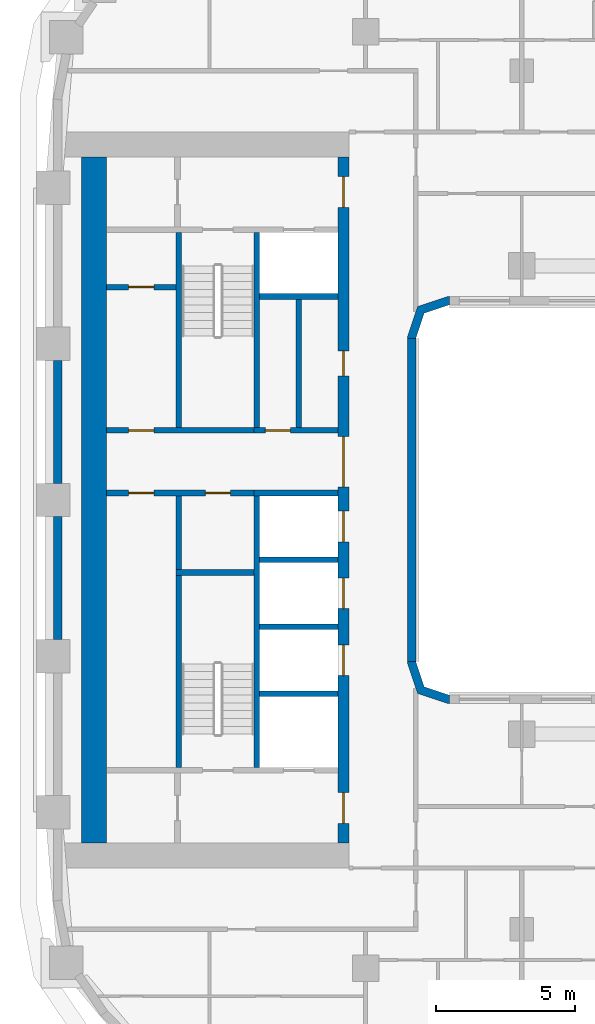
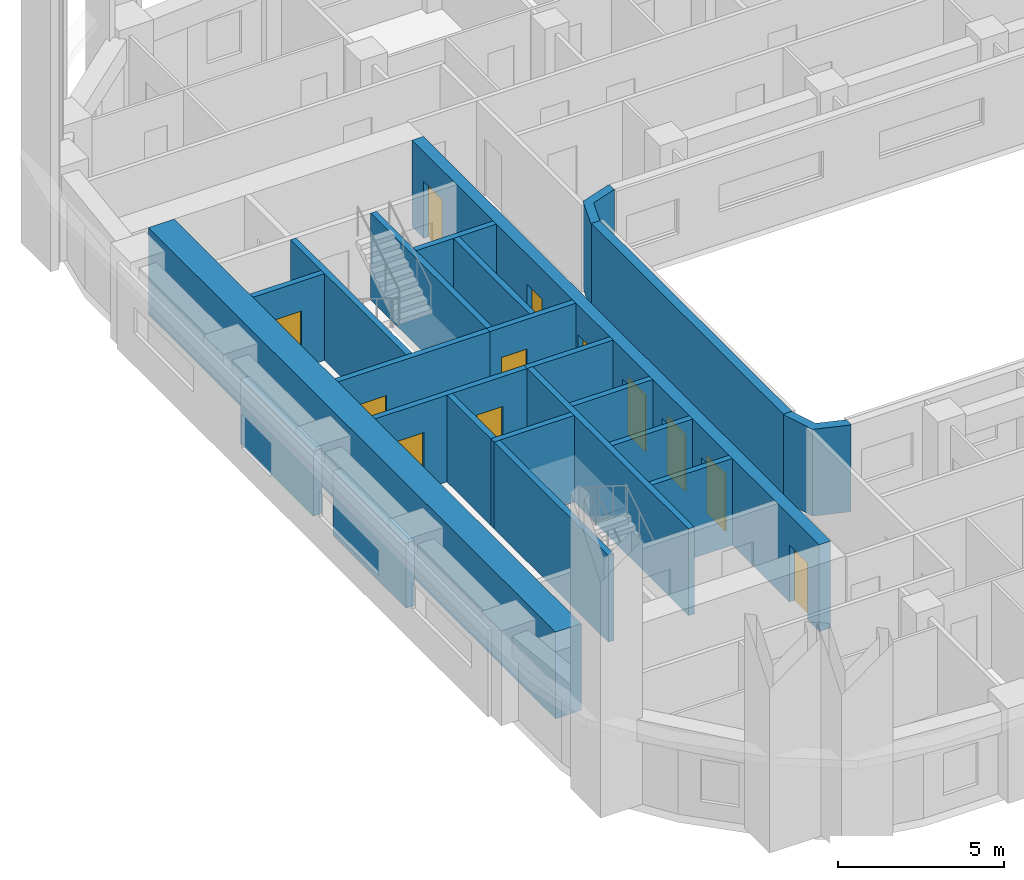
# One storey, part 5 of 23: 23 walls, 12 doors, 12 openings.
"""IFC4 building model written with IfcOpenShell, lengths in metres."""

from ifc_helpers import new_model, si_unit, direction, frame, frame_2d, origin, place, context, subcontext, project, spatial, polyline, rectangle, outline, extrude, material, layer, layer_set, type_object, element, fill, save


model = new_model("IFC4")

# Units and contexts
model_context = context("Model", 3, precision=1e-05, world=origin(), true_north=direction((0.0, 1.0)))
body_context = subcontext(model_context, "Body", "Model", "MODEL_VIEW")
ifc_project = project(units=[si_unit("LENGTHUNIT", "METRE"), si_unit("AREAUNIT", "SQUARE_METRE"), si_unit("VOLUMEUNIT", "CUBIC_METRE"), si_unit("PLANEANGLEUNIT", "RADIAN"), si_unit("MASSUNIT", "GRAM", prefix="KILO")], contexts=[model_context])

# Site, building, storey
site_placement = place(None, origin())
site = spatial("IfcSite", under=ifc_project, at=site_placement, CompositionType="ELEMENT")
building_placement = place(site_placement, origin())
building = spatial("IfcBuilding", under=site, at=building_placement, Name="Kiln Ring Residences", CompositionType="ELEMENT")
storey_placement = place(building_placement, frame((0.0, 0.0, 107.800048828125)))
storey = spatial("IfcBuildingStorey", under=building, at=storey_placement, Name="L27", CompositionType="ELEMENT", Elevation=107.800048828125)

# Wall
ifc_material_1 = material(Name="Gypsum board on steel studs", Category="steel")
ifc_layer_1 = layer(ifc_material_1, 0.199951171875)
ifc_layer_set_1 = layer_set([ifc_layer_1], Name="CORE-PARTITION-200")
wall_type_1 = type_object("IfcWallType", Name="CORE-PARTITION-200", PredefinedType="PARTITIONING", material=ifc_layer_set_1)
wall_1_placement = place(storey_placement, frame((-23.5, -2.5, 0.0), z_axis=(0.0, 0.0, 1.0), x_axis=(0.0, 1.0, 0.0)))
element("IfcWall", 1, at=wall_1_placement, inside=storey, type_object=wall_type_1, Name="Core partition west L27 1", PredefinedType="PARTITIONING", context=body_context, shape_type="SweptSolid", body=[
    extrude(rectangle(XDim=2.64990234375, YDim=0.199951171875, at=frame_2d((1.324951171875, 0.0))), origin(), (0.0, 0.0, 1.0), 3.199951171875),
])

# Wall, openings, doors
wall_2_placement = place(storey_placement, frame((-20.800048828125, 0.25, 0.0), z_axis=(0.0, 0.0, 1.0), x_axis=(-1.0, 0.0, 0.0)))
wall_2 = element("IfcWall", 2, at=wall_2_placement, inside=storey, type_object=wall_type_1, Name="Core partition west L27 2", PredefinedType="PARTITIONING", context=body_context, shape_type="SweptSolid", body=[
    extrude(rectangle(XDim=5.300048828125, YDim=0.199951171875, at=frame_2d((2.64990234375, 0.0))), origin(), (0.0, 0.0, 1.0), 3.199951171875),
])
opening_1_placement = place(wall_2_placement, frame((0.85009765625, 0.0, 0.0)))
opening_1 = element("IfcOpeningElement", 3, at=opening_1_placement, cuts=wall_2, Name="Opening L27-CW15", PredefinedType="OPENING", context=body_context, shape_type="SweptSolid", body=[
    extrude(rectangle(XDim=0.89990234375, YDim=2.10009765625, at=frame_2d((0.449951171875, 1.050048828125))), frame((0.0, 0.10986328125, 0.0), z_axis=(0.0, -1.0, 0.0), x_axis=(1.0, 0.0, 0.0)), (0.0, 0.0, 1.0), 0.219970703125),
])
opening_2_placement = place(wall_2_placement, frame((3.60009765625, 0.0, 0.0)))
opening_2 = element("IfcOpeningElement", 4, at=opening_2_placement, cuts=wall_2, Name="Opening L27-CW16", PredefinedType="OPENING", context=body_context, shape_type="SweptSolid", body=[
    extrude(rectangle(XDim=0.89990234375, YDim=2.10009765625, at=frame_2d((0.449951171875, 1.050048828125))), frame((0.0, 0.10986328125, 0.0), z_axis=(0.0, -1.0, 0.0), x_axis=(1.0, 0.0, 0.0)), (0.0, 0.0, 1.0), 0.219970703125),
])
ifc_material_2 = material(Name="Steel door leaf", Category="steel")
door_type_1 = type_object("IfcDoorType", Name="CORE-DOOR-ROOM", OperationType="SINGLE_SWING_LEFT", PredefinedType="DOOR", material=ifc_material_2)
door_1_placement = place(opening_1_placement, origin())
door_1 = element("IfcDoor", 5, at=door_1_placement, inside=storey, type_object=door_type_1, Name="Refuse and recycling room L27-CW15", OperationType="SINGLE_SWING_LEFT", OverallHeight=2.10009765625, OverallWidth=0.89990234375, PredefinedType="DOOR", context=body_context, shape_type="SweptSolid", body=[
    extrude(rectangle(XDim=0.89990234375, YDim=2.10009765625, at=frame_2d((0.449951171875, 1.050048828125))), frame((0.0, 0.02490234375, 0.0), z_axis=(0.0, -1.0, 0.0), x_axis=(1.0, 0.0, 0.0)), (0.0, 0.0, 1.0), 0.050048828125),
])
fill(opening_1, door_1)
door_2_placement = place(opening_2_placement, origin())
door_2 = element("IfcDoor", 6, at=door_2_placement, inside=storey, type_object=door_type_1, Name="Water tank room L27-CW16", OperationType="SINGLE_SWING_RIGHT", OverallHeight=2.10009765625, OverallWidth=0.89990234375, PredefinedType="DOOR", context=body_context, shape_type="SweptSolid", body=[
    extrude(rectangle(XDim=0.89990234375, YDim=2.10009765625, at=frame_2d((0.449951171875, 1.050048828125))), frame((0.0, 0.02490234375, 0.0), z_axis=(0.0, -1.0, 0.0), x_axis=(1.0, 0.0, 0.0)), (0.0, 0.0, 1.0), 0.050048828125),
])
fill(opening_2, door_2)

# Wall
wall_3_placement = place(storey_placement, frame((-19.199951171875, 2.60009765625, 0.0), z_axis=(0.0, 0.0, 1.0), x_axis=(0.0, 1.0, 0.0)))
element("IfcWall", 7, at=wall_3_placement, inside=storey, type_object=wall_type_1, Name="Core partition west L27 3", PredefinedType="PARTITIONING", context=body_context, shape_type="SweptSolid", body=[
    extrude(rectangle(XDim=4.599853515625, YDim=0.199951171875, at=frame_2d((2.2998046875, 0.0))), origin(), (0.0, 0.0, 1.0), 3.199951171875),
])

# Wall, opening, door
wall_4_placement = place(storey_placement, frame((-23.60009765625, 7.639892578125, 0.0), z_axis=(0.0, 0.0, 1.0), x_axis=(-1.0, 0.0, 0.0)))
wall_4 = element("IfcWall", 8, at=wall_4_placement, inside=storey, type_object=wall_type_1, Name="Core partition west L27 6", PredefinedType="PARTITIONING", context=body_context, shape_type="SweptSolid", body=[
    extrude(rectangle(XDim=2.5, YDim=0.199951171875, at=frame_2d((1.25, 0.0))), origin(), (0.0, 0.0, 1.0), 3.199951171875),
])
opening_3_placement = place(wall_4_placement, frame((0.800048828125, 0.0, 0.0)))
opening_3 = element("IfcOpeningElement", 9, at=opening_3_placement, cuts=wall_4, Name="Opening L27-CW17", PredefinedType="OPENING", context=body_context, shape_type="SweptSolid", body=[
    extrude(rectangle(XDim=0.89990234375, YDim=2.10009765625, at=frame_2d((0.449951171875, 1.050048828125))), frame((0.0, 0.10986328125, 0.0), z_axis=(0.0, -1.0, 0.0), x_axis=(1.0, 0.0, 0.0)), (0.0, 0.0, 1.0), 0.219970703125),
])
door_3_placement = place(opening_3_placement, origin())
door_3 = element("IfcDoor", 10, at=door_3_placement, inside=storey, type_object=door_type_1, Name="UPS room L27-CW17", OperationType="SINGLE_SWING_RIGHT", OverallHeight=2.10009765625, OverallWidth=0.89990234375, PredefinedType="DOOR", context=body_context, shape_type="SweptSolid", body=[
    extrude(rectangle(XDim=0.89990234375, YDim=2.10009765625, at=frame_2d((0.449951171875, 1.050048828125))), frame((0.0, 0.02490234375, 0.0), z_axis=(0.0, -1.0, 0.0), x_axis=(1.0, 0.0, 0.0)), (0.0, 0.0, 1.0), 0.050048828125),
])
fill(opening_3, door_3)

# Walls
ifc_material_3 = material(Name="Gypsum shaft wall system")
ifc_layer_2 = layer(ifc_material_3, 0.199951171875)
ifc_layer_set_2 = layer_set([ifc_layer_2], Name="CORE-SHAFT-WALL-200")
wall_type_2 = type_object("IfcWallType", Name="CORE-SHAFT-WALL-200", PredefinedType="PARTITIONING", material=ifc_layer_set_2)
for number, where, z_axis, x_axis, name in (
    (11, (-17.800048828125, -6.949951171875, 0.0), (0.0, 0.0, 1.0), (-1.0, 0.0, 0.0), "Core partition west L27 7"),
    (12, (-17.800048828125, -4.550048828125, 0.0), (0.0, 0.0, 1.0), (-1.0, 0.0, 0.0), "Core partition west L27 8"),
    (13, (-17.800048828125, -2.14990234375, 0.0), (0.0, 0.0, 1.0), (-1.0, 0.0, 0.0), "Core partition west L27 9"),
):
    element("IfcWall", number, at=place(storey_placement, frame(where, z_axis=z_axis, x_axis=x_axis)), inside=storey, type_object=wall_type_2, Name=name, PredefinedType="PARTITIONING", context=body_context, shape_type="SweptSolid", body=[
        extrude(rectangle(XDim=2.800048828125, YDim=0.199951171875, at=frame_2d((1.39990234375, 0.0))), origin(), (0.0, 0.0, 1.0), 3.199951171875),
    ])
wall_5_placement = place(storey_placement, frame((-17.800048828125, 0.25, 0.0), z_axis=(0.0, 0.0, 1.0), x_axis=(-1.0, 0.0, 0.0)))
element("IfcWall", 14, at=wall_5_placement, inside=storey, type_object=wall_type_2, Name="Core partition west L27 10", PredefinedType="PARTITIONING", context=body_context, shape_type="SweptSolid", body=[
    extrude(rectangle(XDim=3.0, YDim=0.199951171875, at=frame_2d((1.5, 0.0))), origin(), (0.0, 0.0, 1.0), 3.199951171875),
])

# Wall, opening, door
wall_6_placement = place(storey_placement, frame((-17.800048828125, 2.5, 0.0), z_axis=(0.0, 0.0, 1.0), x_axis=(-1.0, 0.0, 0.0)))
wall_6 = element("IfcWall", 15, at=wall_6_placement, inside=storey, type_object=wall_type_2, Name="Core partition west L27 11", PredefinedType="PARTITIONING", context=body_context, shape_type="SweptSolid", body=[
    extrude(rectangle(XDim=3.0, YDim=0.199951171875, at=frame_2d((1.5, 0.0))), origin(), (0.0, 0.0, 1.0), 3.199951171875),
])
opening_4_placement = place(wall_6_placement, frame((1.699951171875, 0.0, 0.0)))
opening_4 = element("IfcOpeningElement", 16, at=opening_4_placement, cuts=wall_6, Name="Opening L27-CW06", PredefinedType="OPENING", context=body_context, shape_type="SweptSolid", body=[
    extrude(rectangle(XDim=0.89990234375, YDim=2.10009765625, at=frame_2d((0.449951171875, 1.050048828125))), frame((0.0, 0.10986328125, 0.0), z_axis=(0.0, -1.0, 0.0), x_axis=(1.0, 0.0, 0.0)), (0.0, 0.0, 1.0), 0.219970703125),
])
door_4_placement = place(opening_4_placement, origin())
door_4 = element("IfcDoor", 17, at=door_4_placement, inside=storey, type_object=door_type_1, Name="Service store L27-CW06", OperationType="SINGLE_SWING_LEFT", OverallHeight=2.10009765625, OverallWidth=0.89990234375, PredefinedType="DOOR", context=body_context, shape_type="SweptSolid", body=[
    extrude(rectangle(XDim=0.89990234375, YDim=2.10009765625, at=frame_2d((0.449951171875, 1.050048828125))), frame((0.0, 0.02490234375, 0.0), z_axis=(0.0, -1.0, 0.0), x_axis=(1.0, 0.0, 0.0)), (0.0, 0.0, 1.0), 0.050048828125),
])
fill(opening_4, door_4)

# Walls
wall_7_placement = place(storey_placement, frame((-17.800048828125, 7.300048828125, 0.0), z_axis=(0.0, 0.0, 1.0), x_axis=(-1.0, 0.0, 0.0)))
element("IfcWall", 18, at=wall_7_placement, inside=storey, type_object=wall_type_2, Name="Core partition west L27 12", PredefinedType="PARTITIONING", context=body_context, shape_type="SweptSolid", body=[
    extrude(rectangle(XDim=2.800048828125, YDim=0.199951171875, at=frame_2d((1.39990234375, 0.0))), origin(), (0.0, 0.0, 1.0), 3.199951171875),
])
ifc_material_4 = material(Name="Concrete C40/50", Category="concrete")
ifc_layer_3 = layer(ifc_material_4, 0.199951171875)
ifc_layer_set_3 = layer_set([ifc_layer_3], Name="CORE-WALL-RC200")
wall_type_3 = type_object("IfcWallType", Name="CORE-WALL-RC200", PredefinedType="SHEAR", material=ifc_layer_set_3)
wall_8_placement = place(storey_placement, frame((-20.699951171875, 2.60009765625, 0.0), z_axis=(0.0, 0.0, 1.0), x_axis=(0.0, 1.0, 0.0)))
element("IfcWall", 19, at=wall_8_placement, inside=storey, type_object=wall_type_3, Name="Core wall west L27 1", PredefinedType="SHEAR", context=body_context, shape_type="SweptSolid", body=[
    extrude(rectangle(XDim=7.0, YDim=0.199951171875, at=frame_2d((3.5, 0.0))), origin(), (0.0, 0.0, 1.0), 3.199951171875),
])
wall_9_placement = place(storey_placement, frame((-20.699951171875, -9.60009765625, 0.0), z_axis=(0.0, 0.0, 1.0), x_axis=(0.0, 1.0, 0.0)))
element("IfcWall", 20, at=wall_9_placement, inside=storey, type_object=wall_type_3, Name="Core wall west L27 2", PredefinedType="SHEAR", context=body_context, shape_type="SweptSolid", body=[
    extrude(rectangle(XDim=9.75, YDim=0.199951171875, at=frame_2d((4.875, 0.0))), origin(), (0.0, 0.0, 1.0), 3.199951171875),
])

# Wall, opening, door
wall_10_placement = place(storey_placement, frame((-20.800048828125, 2.5, 0.0), z_axis=(0.0, 0.0, 1.0), x_axis=(-1.0, 0.0, 0.0)))
wall_10 = element("IfcWall", 21, at=wall_10_placement, inside=storey, type_object=wall_type_3, Name="Core wall west L27 3", PredefinedType="SHEAR", context=body_context, shape_type="SweptSolid", body=[
    extrude(rectangle(XDim=5.300048828125, YDim=0.199951171875, at=frame_2d((2.64990234375, 0.0))), origin(), (0.0, 0.0, 1.0), 3.199951171875),
])
opening_5_placement = place(wall_10_placement, frame((3.60009765625, 0.0, 0.0)))
opening_5 = element("IfcOpeningElement", 22, at=opening_5_placement, cuts=wall_10, Name="Opening L27-CW18", PredefinedType="OPENING", context=body_context, shape_type="SweptSolid", body=[
    extrude(rectangle(XDim=0.89990234375, YDim=2.10009765625, at=frame_2d((0.449951171875, 1.050048828125))), frame((0.0, 0.10986328125, 0.0), z_axis=(0.0, -1.0, 0.0), x_axis=(1.0, 0.0, 0.0)), (0.0, 0.0, 1.0), 0.219970703125),
])
door_5_placement = place(opening_5_placement, origin())
door_5 = element("IfcDoor", 23, at=door_5_placement, inside=storey, type_object=door_type_1, Name="Electrical plant room L27-CW18", OperationType="SINGLE_SWING_LEFT", OverallHeight=2.10009765625, OverallWidth=0.89990234375, PredefinedType="DOOR", context=body_context, shape_type="SweptSolid", body=[
    extrude(rectangle(XDim=0.89990234375, YDim=2.10009765625, at=frame_2d((0.449951171875, 1.050048828125))), frame((0.0, 0.02490234375, 0.0), z_axis=(0.0, -1.0, 0.0), x_axis=(1.0, 0.0, 0.0)), (0.0, 0.0, 1.0), 0.050048828125),
])
fill(opening_5, door_5)

# Walls
wall_11_placement = place(storey_placement, frame((-23.5, 2.60009765625, 0.0), z_axis=(0.0, 0.0, 1.0), x_axis=(0.0, 1.0, 0.0)))
element("IfcWall", 24, at=wall_11_placement, inside=storey, type_object=wall_type_3, Name="Core wall west L27 10", PredefinedType="SHEAR", context=body_context, shape_type="SweptSolid", body=[
    extrude(rectangle(XDim=7.0, YDim=0.199951171875, at=frame_2d((3.5, 0.0))), origin(), (0.0, 0.0, 1.0), 3.199951171875),
])
wall_12_placement = place(storey_placement, frame((-23.5, -9.60009765625, 0.0), z_axis=(0.0, 0.0, 1.0), x_axis=(0.0, 1.0, 0.0)))
element("IfcWall", 25, at=wall_12_placement, inside=storey, type_object=wall_type_3, Name="Core wall west L27 11", PredefinedType="SHEAR", context=body_context, shape_type="SweptSolid", body=[
    extrude(rectangle(XDim=6.900146484375, YDim=0.199951171875, at=frame_2d((3.4501953125, 0.0))), origin(), (0.0, 0.0, 1.0), 3.199951171875),
])
wall_13_placement = place(storey_placement, frame((-20.800048828125, -2.60009765625, 0.0), z_axis=(0.0, 0.0, 1.0), x_axis=(-1.0, 0.0, 0.0)))
element("IfcWall", 26, at=wall_13_placement, inside=storey, type_object=wall_type_3, Name="Core wall west L27 12", PredefinedType="SHEAR", context=body_context, shape_type="SweptSolid", body=[
    extrude(rectangle(XDim=2.800048828125, YDim=0.199951171875, at=frame_2d((1.39990234375, 0.0))), origin(), (0.0, 0.0, 1.0), 3.199951171875),
])

# Wall, openings, doors
ifc_material_5 = material(Name="Concrete C60/75", Category="concrete")
ifc_layer_4 = layer(ifc_material_5, 0.39990234375)
ifc_layer_set_4 = layer_set([ifc_layer_4], Name="CORE-WALL-RC400")
wall_type_4 = type_object("IfcWallType", Name="CORE-WALL-RC400", PredefinedType="SHEAR", material=ifc_layer_set_4)
wall_14_placement = place(storey_placement, frame((-17.60009765625, -12.300048828125, 0.0), z_axis=(0.0, 0.0, 1.0), x_axis=(0.0, 1.0, 0.0)))
wall_14 = element("IfcWall", 27, at=wall_14_placement, inside=storey, type_object=wall_type_4, Name="Core wall west L27 6", PredefinedType="SHEAR", context=body_context, shape_type="SweptSolid", body=[
    extrude(rectangle(XDim=24.60009765625, YDim=0.39990234375, at=frame_2d((12.300048828125, 0.0))), origin(), (0.0, 0.0, 1.0), 3.199951171875),
])
opening_6_placement = place(wall_14_placement, frame((6.0, 0.0, 0.0)))
opening_6 = element("IfcOpeningElement", 28, at=opening_6_placement, cuts=wall_14, Name="Opening L27-CW02", PredefinedType="OPENING", context=body_context, shape_type="SweptSolid", body=[
    extrude(rectangle(XDim=1.10009765625, YDim=2.10009765625, at=frame_2d((0.550048828125, 1.050048828125))), frame((0.0, 0.2099609375, 0.0), z_axis=(0.0, -1.0, 0.0), x_axis=(1.0, 0.0, 0.0)), (0.0, 0.0, 1.0), 0.419921875),
])
opening_7_placement = place(wall_14_placement, frame((8.39990234375, 0.0, 0.0)))
opening_7 = element("IfcOpeningElement", 29, at=opening_7_placement, cuts=wall_14, Name="Opening L27-CW03", PredefinedType="OPENING", context=body_context, shape_type="SweptSolid", body=[
    extrude(rectangle(XDim=1.10009765625, YDim=2.10009765625, at=frame_2d((0.550048828125, 1.050048828125))), frame((0.0, 0.2099609375, 0.0), z_axis=(0.0, -1.0, 0.0), x_axis=(1.0, 0.0, 0.0)), (0.0, 0.0, 1.0), 0.419921875),
])
opening_8_placement = place(wall_14_placement, frame((10.800048828125, 0.0, 0.0)))
opening_8 = element("IfcOpeningElement", 30, at=opening_8_placement, cuts=wall_14, Name="Opening L27-CW04", PredefinedType="OPENING", context=body_context, shape_type="SweptSolid", body=[
    extrude(rectangle(XDim=1.10009765625, YDim=2.10009765625, at=frame_2d((0.550048828125, 1.050048828125))), frame((0.0, 0.2099609375, 0.0), z_axis=(0.0, -1.0, 0.0), x_axis=(1.0, 0.0, 0.0)), (0.0, 0.0, 1.0), 0.419921875),
])
opening_9_placement = place(wall_14_placement, frame((16.75, 0.0, 0.0)))
opening_9 = element("IfcOpeningElement", 31, at=opening_9_placement, cuts=wall_14, Name="Opening L27-CW05", PredefinedType="OPENING", context=body_context, shape_type="SweptSolid", body=[
    extrude(rectangle(XDim=0.89990234375, YDim=2.10009765625, at=frame_2d((0.449951171875, 1.050048828125))), frame((0.0, 0.2099609375, 0.0), z_axis=(0.0, -1.0, 0.0), x_axis=(1.0, 0.0, 0.0)), (0.0, 0.0, 1.0), 0.419921875),
])
opening_10_placement = place(wall_14_placement, frame((22.800048828125, 0.0, 0.0)))
opening_10 = element("IfcOpeningElement", 32, at=opening_10_placement, cuts=wall_14, Name="Opening L27-CW08", PredefinedType="OPENING", context=body_context, shape_type="SweptSolid", body=[
    extrude(rectangle(XDim=1.10009765625, YDim=2.10009765625, at=frame_2d((0.550048828125, 1.050048828125))), frame((0.0, 0.2099609375, 0.0), z_axis=(0.0, -1.0, 0.0), x_axis=(1.0, 0.0, 0.0)), (0.0, 0.0, 1.0), 0.419921875),
])
opening_11_placement = place(wall_14_placement, frame((0.699951171875, 0.0, 0.0)))
opening_11 = element("IfcOpeningElement", 33, at=opening_11_placement, cuts=wall_14, Name="Opening L27-CW09", PredefinedType="OPENING", context=body_context, shape_type="SweptSolid", body=[
    extrude(rectangle(XDim=1.10009765625, YDim=2.10009765625, at=frame_2d((0.550048828125, 1.050048828125))), frame((0.0, 0.2099609375, 0.0), z_axis=(0.0, -1.0, 0.0), x_axis=(1.0, 0.0, 0.0)), (0.0, 0.0, 1.0), 0.419921875),
])
opening_12_placement = place(wall_14_placement, frame((12.77490234375, 0.0, 0.0)))
opening_12 = element("IfcOpeningElement", 34, at=opening_12_placement, cuts=wall_14, Name="Opening L27-CW14", PredefinedType="OPENING", context=body_context, shape_type="SweptSolid", body=[
    extrude(rectangle(XDim=1.800048828125, YDim=2.10009765625, at=frame_2d((0.89990234375, 1.050048828125))), frame((0.0, 0.2099609375, 0.0), z_axis=(0.0, -1.0, 0.0), x_axis=(1.0, 0.0, 0.0)), (0.0, 0.0, 1.0), 0.419921875),
])
ifc_material_6 = material(Name="Steel door leaf", Category="steel")
door_type_2 = type_object("IfcDoorType", Name="CORE-DOOR-LD", OperationType="DOUBLE_DOOR_SLIDING", PredefinedType="DOOR", material=ifc_material_6)
door_6_placement = place(opening_6_placement, origin())
door_6 = element("IfcDoor", 35, at=door_6_placement, inside=storey, type_object=door_type_2, Name="LD W-L1 L27-CW02", OperationType="DOUBLE_DOOR_SLIDING", OverallHeight=2.10009765625, OverallWidth=1.10009765625, PredefinedType="DOOR", context=body_context, shape_type="SweptSolid", body=[
    extrude(rectangle(XDim=1.10009765625, YDim=2.10009765625, at=frame_2d((0.550048828125, 1.050048828125))), frame((0.0, 0.02490234375, 0.0), z_axis=(0.0, -1.0, 0.0), x_axis=(1.0, 0.0, 0.0)), (0.0, 0.0, 1.0), 0.050048828125),
])
fill(opening_6, door_6)
door_7_placement = place(opening_7_placement, origin())
door_7 = element("IfcDoor", 36, at=door_7_placement, inside=storey, type_object=door_type_2, Name="LD W-L2 L27-CW03", OperationType="DOUBLE_DOOR_SLIDING", OverallHeight=2.10009765625, OverallWidth=1.10009765625, PredefinedType="DOOR", context=body_context, shape_type="SweptSolid", body=[
    extrude(rectangle(XDim=1.10009765625, YDim=2.10009765625, at=frame_2d((0.550048828125, 1.050048828125))), frame((0.0, 0.02490234375, 0.0), z_axis=(0.0, -1.0, 0.0), x_axis=(1.0, 0.0, 0.0)), (0.0, 0.0, 1.0), 0.050048828125),
])
fill(opening_7, door_7)
door_8_placement = place(opening_8_placement, origin())
door_8 = element("IfcDoor", 37, at=door_8_placement, inside=storey, type_object=door_type_2, Name="LD W-L3 L27-CW04", OperationType="DOUBLE_DOOR_SLIDING", OverallHeight=2.10009765625, OverallWidth=1.10009765625, PredefinedType="DOOR", context=body_context, shape_type="SweptSolid", body=[
    extrude(rectangle(XDim=1.10009765625, YDim=2.10009765625, at=frame_2d((0.550048828125, 1.050048828125))), frame((0.0, 0.02490234375, 0.0), z_axis=(0.0, -1.0, 0.0), x_axis=(1.0, 0.0, 0.0)), (0.0, 0.0, 1.0), 0.050048828125),
])
fill(opening_8, door_8)
ifc_material_7 = material(Name="Steel door leaf", Category="steel")
door_type_3 = type_object("IfcDoorType", Name="CORE-DOOR-LOBBY", OperationType="SINGLE_SWING_LEFT", PredefinedType="DOOR", material=ifc_material_7)
door_9_placement = place(opening_10_placement, origin())
door_9 = element("IfcDoor", 38, at=door_9_placement, inside=storey, type_object=door_type_3, Name="FFL L27-CW08", OperationType="SINGLE_SWING_LEFT", OverallHeight=2.10009765625, OverallWidth=1.10009765625, PredefinedType="DOOR", context=body_context, shape_type="SweptSolid", body=[
    extrude(rectangle(XDim=1.10009765625, YDim=2.10009765625, at=frame_2d((0.550048828125, 1.050048828125))), frame((0.0, 0.02490234375, 0.0), z_axis=(0.0, -1.0, 0.0), x_axis=(1.0, 0.0, 0.0)), (0.0, 0.0, 1.0), 0.050048828125),
])
fill(opening_10, door_9)
door_10_placement = place(opening_11_placement, origin())
door_10 = element("IfcDoor", 39, at=door_10_placement, inside=storey, type_object=door_type_3, Name="SVL L27-CW09", OperationType="SINGLE_SWING_RIGHT", OverallHeight=2.10009765625, OverallWidth=1.10009765625, PredefinedType="DOOR", context=body_context, shape_type="SweptSolid", body=[
    extrude(rectangle(XDim=1.10009765625, YDim=2.10009765625, at=frame_2d((0.550048828125, 1.050048828125))), frame((0.0, 0.02490234375, 0.0), z_axis=(0.0, -1.0, 0.0), x_axis=(1.0, 0.0, 0.0)), (0.0, 0.0, 1.0), 0.050048828125),
])
fill(opening_11, door_10)
ifc_material_8 = material(Name="Steel door leaf", Category="steel")
door_type_4 = type_object("IfcDoorType", Name="CORE-DOOR-PASS", OperationType="DOUBLE_DOOR_SINGLE_SWING", PredefinedType="DOOR", material=ifc_material_8)
door_11_placement = place(opening_12_placement, origin())
door_11 = element("IfcDoor", 40, at=door_11_placement, inside=storey, type_object=door_type_4, Name="Core passage L27-CW14", OperationType="DOUBLE_DOOR_SINGLE_SWING", OverallHeight=2.10009765625, OverallWidth=1.800048828125, PredefinedType="DOOR", context=body_context, shape_type="SweptSolid", body=[
    extrude(rectangle(XDim=1.800048828125, YDim=2.10009765625, at=frame_2d((0.89990234375, 1.050048828125))), frame((0.0, 0.02490234375, 0.0), z_axis=(0.0, -1.0, 0.0), x_axis=(1.0, 0.0, 0.0)), (0.0, 0.0, 1.0), 0.050048828125),
])
fill(opening_12, door_11)
door_12_placement = place(opening_9_placement, origin())
door_12 = element("IfcDoor", 41, at=door_12_placement, inside=storey, type_object=door_type_1, Name="Linen store L27-CW05", OperationType="SINGLE_SWING_LEFT", OverallHeight=2.10009765625, OverallWidth=0.89990234375, PredefinedType="DOOR", context=body_context, shape_type="SweptSolid", body=[
    extrude(rectangle(XDim=0.89990234375, YDim=2.10009765625, at=frame_2d((0.449951171875, 1.050048828125))), frame((0.0, 0.02490234375, 0.0), z_axis=(0.0, -1.0, 0.0), x_axis=(1.0, 0.0, 0.0)), (0.0, 0.0, 1.0), 0.050048828125),
])
fill(opening_9, door_12)

# Walls
ifc_material_9 = material(Name="Concrete C60/75", Category="concrete")
ifc_layer_5 = layer(ifc_material_9, 0.89990234375)
ifc_layer_set_5 = layer_set([ifc_layer_5], Name="CORE-WALL-RC900")
wall_type_5 = type_object("IfcWallType", Name="CORE-WALL-RC900", PredefinedType="SHEAR", material=ifc_layer_set_5)
wall_15_placement = place(storey_placement, frame((-26.550048828125, -12.300048828125, 0.0), z_axis=(0.0, 0.0, 1.0), x_axis=(0.0, 1.0, 0.0)))
element("IfcWall", 42, at=wall_15_placement, inside=storey, type_object=wall_type_5, Name="Core wall west L27 7", PredefinedType="SHEAR", context=body_context, shape_type="SweptSolid", body=[
    extrude(rectangle(XDim=24.60009765625, YDim=0.89990234375, at=frame_2d((12.300048828125, 0.0))), origin(), (0.0, 0.0, 1.0), 3.199951171875),
])
ifc_material_10 = material(Name="Brick masonry, dark clay brick", Category="masonry")
ifc_layer_6 = layer(ifc_material_10, 0.300048828125)
ifc_layer_set_6 = layer_set([ifc_layer_6], Name="EW-300 BRICK WALL")
wall_type_6 = type_object("IfcWallType", Name="EW-300 BRICK WALL", PredefinedType="SOLIDWALL", material=ifc_layer_set_6)
for number, where, z_axis, x_axis, name in (
    (43, (-27.85009765625, 5.0, 0.0), (0.0, 0.0, 1.0), (0.0, -1.0, 0.0), "Facade wall L27 43"),
    (44, (-27.85009765625, -0.60009765625, 0.0), (0.0, 0.0, 1.0), (0.0, -1.0, 0.0), "Facade wall L27 44"),
):
    element("IfcWall", number, at=place(storey_placement, frame(where, z_axis=z_axis, x_axis=x_axis)), inside=storey, type_object=wall_type_6, Name=name, PredefinedType="SOLIDWALL", context=body_context, shape_type="SweptSolid", body=[
        extrude(rectangle(XDim=4.39990234375, YDim=0.300048828125, at=frame_2d((2.199951171875, 0.0))), origin(), (0.0, 0.0, 1.0), 2.39990234375),
    ])
wall_16_placement = place(storey_placement, frame((-15.14990234375, -5.800048828125, 0.0), z_axis=(0.0, 0.0, 1.0), x_axis=(0.0, 1.0, 0.0)))
element("IfcWall", 45, at=wall_16_placement, inside=storey, type_object=wall_type_6, Name="Facade wall L27 49", PredefinedType="SOLIDWALL", context=body_context, shape_type="SweptSolid", body=[
    extrude(rectangle(XDim=11.60009765625, YDim=0.300048828125, at=frame_2d((5.800048828125, 0.0))), origin(), (0.0, 0.0, 1.0), 3.199951171875),
])
placement = place(storey_placement, origin())
element("IfcWall", 46, at=placement, inside=storey, type_object=wall_type_6, Name="Corner wall L27 1", PredefinedType="SOLIDWALL", context=body_context, shape_type="SweptSolid", body=[
    extrude(outline(polyline([(-13.8486328125, 7.300048828125), (-14.937255859375, 6.937255859375), (-15.300048828125, 5.8486328125), (-15.300048828125, 5.800048828125), (-15.0, 5.800048828125), (-14.699951171875, 6.699951171875), (-13.800048828125, 7.0), (-13.800048828125, 7.300048828125), (-13.8486328125, 7.300048828125)])), origin(), (0.0, 0.0, 1.0), 3.199951171875),
])
element("IfcWall", 47, at=placement, inside=storey, type_object=wall_type_6, Name="Corner wall L27 4", PredefinedType="SOLIDWALL", context=body_context, shape_type="SweptSolid", body=[
    extrude(outline(polyline([(-14.937255859375, -6.937255859375), (-13.8486328125, -7.300048828125), (-13.800048828125, -7.300048828125), (-13.800048828125, -7.0), (-14.699951171875, -6.699951171875), (-15.0, -5.800048828125), (-15.300048828125, -5.800048828125), (-15.300048828125, -5.8486328125), (-14.937255859375, -6.937255859375)])), origin(), (0.0, 0.0, 1.0), 3.199951171875),
])

save(model, "model.ifc")
